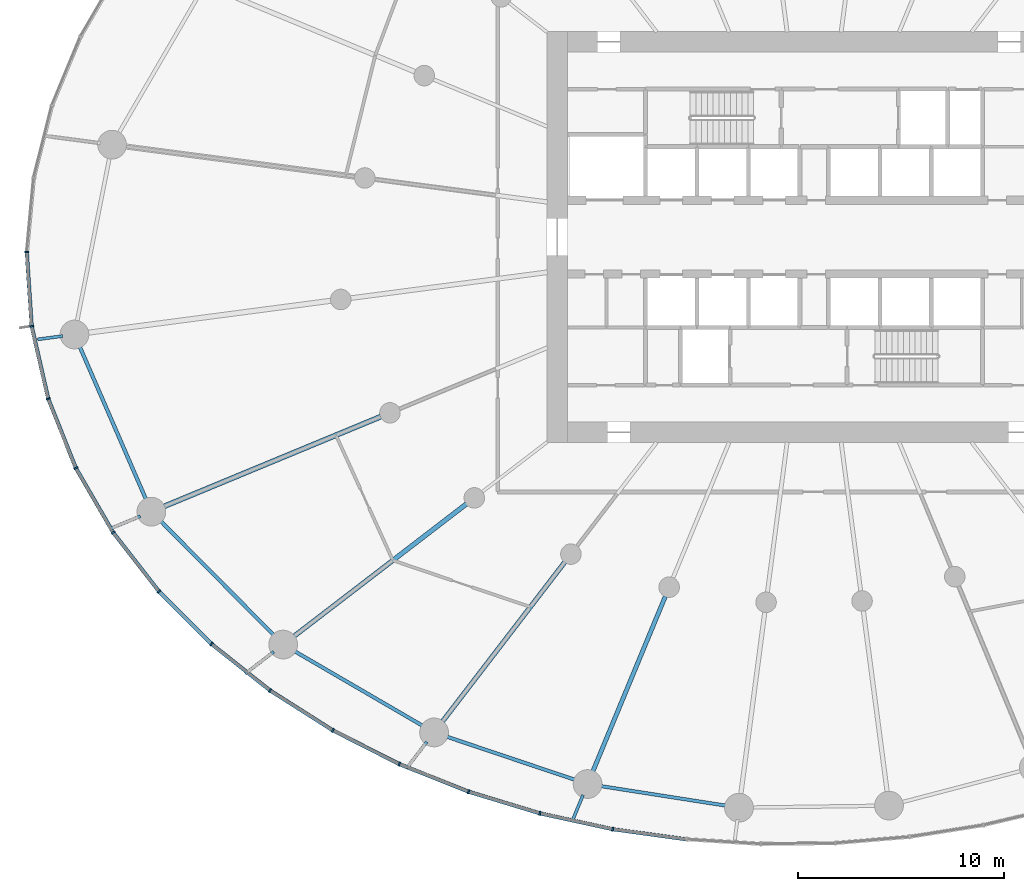
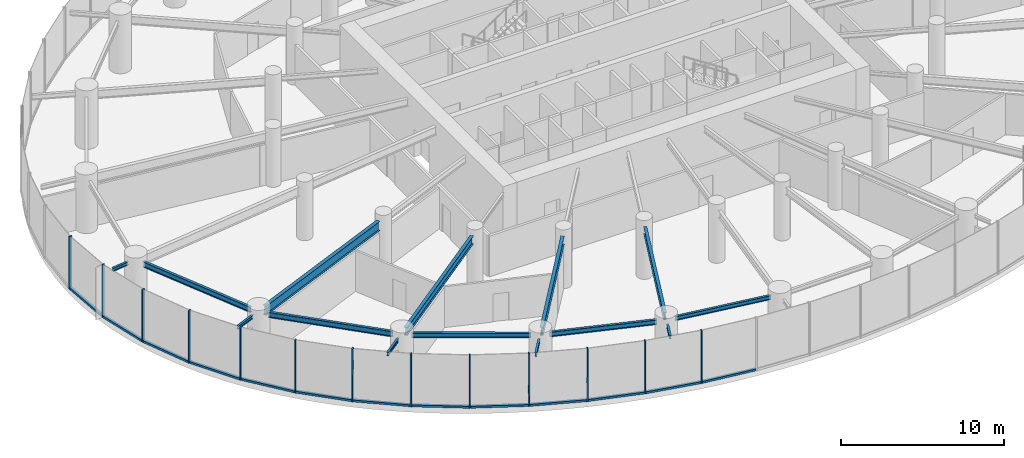
# One storey, part 2 of 19: 26 members, 14 beams, 3 elements without a shape of their own.
"""IFC4 building model written with IfcOpenShell, lengths in metres."""

from ifc_helpers import new_model, si_unit, direction, frame, origin, origin_2d, place, context, subcontext, project, spatial, rectangle, i_section, extrude, source, transform, mapped, material, layer, layer_set, material_profile, profile_set, type_object, element, aggregate, save


model = new_model("IFC4")

# Units and contexts
model_context = context("Model", 3, precision=1e-05, world=origin(), true_north=direction((0.0, 1.0)))
body_context = subcontext(model_context, "Body", "Model", "MODEL_VIEW")
ifc_project = project(units=[si_unit("LENGTHUNIT", "METRE"), si_unit("AREAUNIT", "SQUARE_METRE"), si_unit("VOLUMEUNIT", "CUBIC_METRE"), si_unit("PLANEANGLEUNIT", "RADIAN"), si_unit("MASSUNIT", "GRAM", prefix="KILO")], contexts=[model_context])

# Site, building, storey
site_placement = place(None, origin())
site = spatial("IfcSite", under=ifc_project, at=site_placement, CompositionType="ELEMENT")
building_placement = place(site_placement, origin())
building = spatial("IfcBuilding", under=site, at=building_placement, Name="Spindrift Exchange Tower", CompositionType="ELEMENT")
storey_placement = place(building_placement, frame((0.0, 0.0, 31.39990234375)))
storey = spatial("IfcBuildingStorey", under=building, at=storey_placement, Name="L07", CompositionType="ELEMENT", Elevation=31.39990234375)

# Beams
ifc_material_1 = material(Name="Steel Grade 300", Category="steel")
ifc_material_profile_1 = material_profile(ifc_material_1, i_section(OverallWidth=0.25, OverallDepth=0.699951171875, WebThickness=0.008056640625, FlangeThickness=0.011962890625, at=origin_2d()), Name="700WB115")
ifc_profile_set_1 = profile_set([ifc_material_profile_1], Name="Steel Grade 300")
beam_type_1 = type_object("IfcBeamType", Name="Floor Beam 700WB115 Steel Grade 300", PredefinedType="BEAM", material=ifc_profile_set_1)
shared_shape_1 = source(origin(), body_context, "Body", "SweptSolid", [
    extrude(i_section(OverallWidth=0.25, OverallDepth=0.699951171875, WebThickness=0.008056640625, FlangeThickness=0.011962890625, at=origin_2d()), origin(), (0.0, 0.0, 1.0), 11.505859375),
])
beam_1_placement = place(storey_placement, frame((30.917236328125, 39.26708984375, 3.60009765625), z_axis=(-0.923881578419, -0.38267849307, 0.0), x_axis=(0.38267849307, -0.923881578419, 0.0)))
element("IfcBeam", 1, at=beam_1_placement, inside=storey, type_object=beam_type_1, Name="L07 radial beam R14B", PredefinedType="BEAM", context=body_context, shape_type="MappedRepresentation", body=[
    mapped(shared_shape_1, transform((0.0, 0.0, 0.0), scale=1.0)),
])
ifc_material_profile_2 = material_profile(ifc_material_1, i_section(OverallWidth=0.22802734375, OverallDepth=0.60693359375, WebThickness=0.01123046875, FlangeThickness=0.017333984375, FilletRadius=0.013916015625, at=origin_2d()), Name="610UB113")
ifc_profile_set_2 = profile_set([ifc_material_profile_2], Name="Steel Grade 300")
beam_type_2 = type_object("IfcBeamType", Name="Floor Beam 610UB113 Steel Grade 300", PredefinedType="BEAM", material=ifc_profile_set_2)
shared_shape_2 = source(origin(), body_context, "Body", "SweptSolid", [
    extrude(i_section(OverallWidth=0.22802734375, OverallDepth=0.60693359375, WebThickness=0.01123046875, FlangeThickness=0.017333984375, FilletRadius=0.013916015625, at=origin_2d()), origin(), (0.0, 0.0, 1.0), 10.66357421875),
])
beam_2_placement = place(storey_placement, frame((35.08447265625, 35.020263671875, 3.646484375), z_axis=(-0.793357926757, -0.608755451764, 0.0), x_axis=(0.608755451764, -0.793357926757, 0.0)))
element("IfcBeam", 2, at=beam_2_placement, inside=storey, type_object=beam_type_2, Name="L07 radial beam R15B", PredefinedType="BEAM", context=body_context, shape_type="MappedRepresentation", body=[
    mapped(shared_shape_2, transform((0.0, 0.0, 0.0), scale=1.0)),
])
shared_shape_3 = source(origin(), body_context, "Body", "SweptSolid", [
    extrude(i_section(OverallWidth=0.22802734375, OverallDepth=0.60693359375, WebThickness=0.01123046875, FlangeThickness=0.017333984375, FilletRadius=0.013916015625, at=origin_2d()), origin(), (0.0, 0.0, 1.0), 9.87548828125),
])
beam_3_placement = place(storey_placement, frame((39.872802734375, 32.1953125, 3.646484375), z_axis=(-0.608772470836, -0.793344867477, 0.0), x_axis=(0.793344867477, -0.608772470836, 0.0)))
element("IfcBeam", 3, at=beam_3_placement, inside=storey, type_object=beam_type_2, Name="L07 radial beam R16B", PredefinedType="BEAM", context=body_context, shape_type="MappedRepresentation", body=[
    mapped(shared_shape_3, transform((0.0, 0.0, 0.0), scale=1.0)),
])
ifc_material_profile_3 = material_profile(ifc_material_1, i_section(OverallWidth=0.208984375, OverallDepth=0.532958984375, WebThickness=0.01025390625, FlangeThickness=0.015625, FilletRadius=0.013916015625, at=origin_2d()), Name="530UB92.4")
ifc_profile_set_3 = profile_set([ifc_material_profile_3], Name="Steel Grade 300")
beam_type_3 = type_object("IfcBeamType", Name="Floor Beam 530UB92.4 Steel Grade 300", PredefinedType="BEAM", material=ifc_profile_set_3)
shared_shape_4 = source(origin(), body_context, "Body", "SweptSolid", [
    extrude(i_section(OverallWidth=0.208984375, OverallDepth=0.532958984375, WebThickness=0.01025390625, FlangeThickness=0.015625, FilletRadius=0.013916015625, at=origin_2d()), origin(), (0.0, 0.0, 1.0), 9.309326171875),
])
beam_4_placement = place(storey_placement, frame((44.76171875, 30.525146484375, 3.68359375), z_axis=(-0.382685326691, -0.923878747853, 0.0), x_axis=(0.923878747853, -0.382685326691, 0.0)))
element("IfcBeam", 4, at=beam_4_placement, inside=storey, type_object=beam_type_3, Name="L07 radial beam R17B", PredefinedType="BEAM", context=body_context, shape_type="MappedRepresentation", body=[
    mapped(shared_shape_4, transform((0.0, 0.0, 0.0), scale=1.0)),
])
ifc_material_profile_4 = material_profile(ifc_material_1, i_section(OverallWidth=0.177978515625, OverallDepth=0.406005859375, WebThickness=0.0078125, FlangeThickness=0.0126953125, FilletRadius=0.013916015625, at=origin_2d()), Name="410UB59.7")
ifc_profile_set_4 = profile_set([ifc_material_profile_4], Name="Steel Grade 300")
beam_type_4 = type_object("IfcBeamType", Name="Edge Beam 410UB59.7 Steel Grade 300", PredefinedType="SPANDREL", material=ifc_profile_set_4)
shared_shape_5 = source(origin(), body_context, "Body", "SweptSolid", [
    extrude(i_section(OverallWidth=0.177978515625, OverallDepth=0.406005859375, WebThickness=0.0078125, FlangeThickness=0.0126953125, FilletRadius=0.013916015625, at=origin_2d()), origin(), (0.0, 0.0, 1.0), 8.23681640625),
])
beam_5_placement = place(storey_placement, frame((16.240478515625, 42.729736328125, 3.7470703125), z_axis=(0.398186298756, -0.91730456855, 0.0), x_axis=(0.91730456855, 0.398186298756, 0.0)))
element("IfcBeam", 5, at=beam_5_placement, inside=storey, type_object=beam_type_4, Name="L07 edge beam E13", PredefinedType="SPANDREL", context=body_context, shape_type="MappedRepresentation", body=[
    mapped(shared_shape_5, transform((0.0, 0.0, 0.0), scale=1.0)),
])
shared_shape_6 = source(origin(), body_context, "Body", "SweptSolid", [
    extrude(i_section(OverallWidth=0.177978515625, OverallDepth=0.406005859375, WebThickness=0.0078125, FlangeThickness=0.0126953125, FilletRadius=0.013916015625, at=origin_2d()), origin(), (0.0, 0.0, 1.0), 7.947509765625),
])
beam_6_placement = place(storey_placement, frame((20.159423828125, 34.230224609375, 3.7470703125), z_axis=(0.704197895271, -0.710003749494, 0.0), x_axis=(0.710003749494, 0.704197895271, 0.0)))
element("IfcBeam", 6, at=beam_6_placement, inside=storey, type_object=beam_type_4, Name="L07 edge beam E14", PredefinedType="SPANDREL", context=body_context, shape_type="MappedRepresentation", body=[
    mapped(shared_shape_6, transform((0.0, 0.0, 0.0), scale=1.0)),
])
ifc_material_profile_5 = material_profile(ifc_material_1, i_section(OverallWidth=0.172119140625, OverallDepth=0.35888671875, WebThickness=0.008056640625, FlangeThickness=0.012939453125, FilletRadius=0.013916015625, at=origin_2d()), Name="360UB56.7")
ifc_profile_set_5 = profile_set([ifc_material_profile_5], Name="Steel Grade 300")
beam_type_5 = type_object("IfcBeamType", Name="Edge Beam 360UB56.7 Steel Grade 300", PredefinedType="SPANDREL", material=ifc_profile_set_5)
shared_shape_7 = source(origin(), body_context, "Body", "SweptSolid", [
    extrude(i_section(OverallWidth=0.172119140625, OverallDepth=0.35888671875, WebThickness=0.008056640625, FlangeThickness=0.012939453125, FilletRadius=0.013916015625, at=origin_2d()), origin(), (0.0, 0.0, 1.0), 7.33740234375),
])
beam_7_placement = place(storey_placement, frame((26.66552734375, 27.8837890625, 3.7705078125), z_axis=(0.864211826308, -0.503128134047, 0.0), x_axis=(0.503128134047, 0.864211826308, 0.0)))
element("IfcBeam", 7, at=beam_7_placement, inside=storey, type_object=beam_type_5, Name="L07 edge beam E15", PredefinedType="SPANDREL", context=body_context, shape_type="MappedRepresentation", body=[
    mapped(shared_shape_7, transform((0.0, 0.0, 0.0), scale=1.0)),
])
shared_shape_8 = source(origin(), body_context, "Body", "SweptSolid", [
    extrude(i_section(OverallWidth=0.172119140625, OverallDepth=0.35888671875, WebThickness=0.008056640625, FlangeThickness=0.012939453125, FilletRadius=0.013916015625, at=origin_2d()), origin(), (0.0, 0.0, 1.0), 6.72021484375),
])
beam_8_placement = place(storey_placement, frame((34.0576171875, 23.71533203125, 3.7705078125), z_axis=(0.947851749681, -0.318711563372, 0.0), x_axis=(0.318711563372, 0.947851749681, 0.0)))
element("IfcBeam", 8, at=beam_8_placement, inside=storey, type_object=beam_type_5, Name="L07 edge beam E16", PredefinedType="SPANDREL", context=body_context, shape_type="MappedRepresentation", body=[
    mapped(shared_shape_8, transform((0.0, 0.0, 0.0), scale=1.0)),
])
ifc_material_profile_6 = material_profile(ifc_material_1, i_section(OverallWidth=0.1650390625, OverallDepth=0.303955078125, WebThickness=0.006103515625, FlangeThickness=0.01025390625, FilletRadius=0.011474609375, at=origin_2d()), Name="310UB40.4")
ifc_profile_set_6 = profile_set([ifc_material_profile_6], Name="Steel Grade 300")
beam_type_6 = type_object("IfcBeamType", Name="Edge Beam 310UB40.4 Steel Grade 300", PredefinedType="SPANDREL", material=ifc_profile_set_6)
shared_shape_9 = source(origin(), body_context, "Body", "SweptSolid", [
    extrude(i_section(OverallWidth=0.1650390625, OverallDepth=0.303955078125, WebThickness=0.006103515625, FlangeThickness=0.01025390625, FilletRadius=0.011474609375, at=origin_2d()), origin(), (0.0, 0.0, 1.0), 6.297119140625),
])
beam_9_placement = place(storey_placement, frame((41.55029296875, 21.29931640625, 3.798095703125), z_axis=(0.98802902915, -0.154268070436, 0.0), x_axis=(0.154268070436, 0.98802902915, 0.0)))
element("IfcBeam", 9, at=beam_9_placement, inside=storey, type_object=beam_type_6, Name="L07 edge beam E17", PredefinedType="SPANDREL", context=body_context, shape_type="MappedRepresentation", body=[
    mapped(shared_shape_9, transform((0.0, 0.0, 0.0), scale=1.0)),
])
ifc_material_profile_7 = material_profile(ifc_material_1, i_section(OverallWidth=0.14599609375, OverallDepth=0.251953125, WebThickness=0.006103515625, FlangeThickness=0.008544921875, FilletRadius=0.011962890625, at=origin_2d()), Name="250UB31.4")
ifc_profile_set_7 = profile_set([ifc_material_profile_7], Name="Steel Grade 300")
beam_type_7 = type_object("IfcBeamType", Name="Cantilever Beam 250UB31.4 Steel Grade 300", PredefinedType="BEAM", material=ifc_profile_set_7)
shared_shape_10 = source(origin(), body_context, "Body", "SweptSolid", [
    extrude(i_section(OverallWidth=0.14599609375, OverallDepth=0.251953125, WebThickness=0.006103515625, FlangeThickness=0.008544921875, FilletRadius=0.011962890625, at=origin_2d()), origin(), (0.0, 0.0, 1.0), 1.224853515625),
])
beam_10_placement = place(storey_placement, frame((15.4345703125, 43.18603515625, 3.82421875), z_axis=(-0.99144072145, -0.130557634208, 0.0), x_axis=(0.130557634208, -0.99144072145, 0.0)))
element("IfcBeam", 10, at=beam_10_placement, inside=storey, type_object=beam_type_7, Name="L07 cantilever beam R13T", PredefinedType="BEAM", context=body_context, shape_type="MappedRepresentation", body=[
    mapped(shared_shape_10, transform((0.0, 0.0, 0.0), scale=1.0)),
])
shared_shape_11 = source(origin(), body_context, "Body", "SweptSolid", [
    extrude(i_section(OverallWidth=0.14599609375, OverallDepth=0.251953125, WebThickness=0.006103515625, FlangeThickness=0.008544921875, FilletRadius=0.011962890625, at=origin_2d()), origin(), (0.0, 0.0, 1.0), 1.569580078125),
])
beam_11_placement = place(storey_placement, frame((19.21533203125, 34.420166015625, 3.82421875), z_axis=(-0.923903097912, -0.382626535499, 0.0), x_axis=(0.382626535499, -0.923903097912, 0.0)))
element("IfcBeam", 11, at=beam_11_placement, inside=storey, type_object=beam_type_7, Name="L07 cantilever beam R14T", PredefinedType="BEAM", context=body_context, shape_type="MappedRepresentation", body=[
    mapped(shared_shape_11, transform((0.0, 0.0, 0.0), scale=1.0)),
])
shared_shape_12 = source(origin(), body_context, "Body", "SweptSolid", [
    extrude(i_section(OverallWidth=0.14599609375, OverallDepth=0.251953125, WebThickness=0.006103515625, FlangeThickness=0.008544921875, FilletRadius=0.011962890625, at=origin_2d()), origin(), (0.0, 0.0, 1.0), 1.750244140625),
])
beam_12_placement = place(storey_placement, frame((25.704345703125, 27.822509765625, 3.82421875), z_axis=(-0.793390788114, -0.608712622948, 0.0), x_axis=(0.608712622948, -0.793390788114, 0.0)))
element("IfcBeam", 12, at=beam_12_placement, inside=storey, type_object=beam_type_7, Name="L07 cantilever beam R15T", PredefinedType="BEAM", context=body_context, shape_type="MappedRepresentation", body=[
    mapped(shared_shape_12, transform((0.0, 0.0, 0.0), scale=1.0)),
])
shared_shape_13 = source(origin(), body_context, "Body", "SweptSolid", [
    extrude(i_section(OverallWidth=0.14599609375, OverallDepth=0.251953125, WebThickness=0.006103515625, FlangeThickness=0.008544921875, FilletRadius=0.011962890625, at=origin_2d()), origin(), (0.0, 0.0, 1.0), 1.61181640625),
])
beam_13_placement = place(storey_placement, frame((33.154541015625, 23.440185546875, 3.82421875), z_axis=(-0.608736759969, -0.793372268902, 0.0), x_axis=(0.793372268902, -0.608736759969, 0.0)))
element("IfcBeam", 13, at=beam_13_placement, inside=storey, type_object=beam_type_7, Name="L07 cantilever beam R16T", PredefinedType="BEAM", context=body_context, shape_type="MappedRepresentation", body=[
    mapped(shared_shape_13, transform((0.0, 0.0, 0.0), scale=1.0)),
])
shared_shape_14 = source(origin(), body_context, "Body", "SweptSolid", [
    extrude(i_section(OverallWidth=0.14599609375, OverallDepth=0.251953125, WebThickness=0.006103515625, FlangeThickness=0.008544921875, FilletRadius=0.011962890625, at=origin_2d()), origin(), (0.0, 0.0, 1.0), 1.326416015625),
])
beam_14_placement = place(storey_placement, frame((40.755126953125, 20.852783203125, 3.82421875), z_axis=(-0.382628122364, -0.923902440724, 0.0), x_axis=(0.923902440724, -0.382628122364, 0.0)))
element("IfcBeam", 14, at=beam_14_placement, inside=storey, type_object=beam_type_7, Name="L07 cantilever beam R17T", PredefinedType="BEAM", context=body_context, shape_type="MappedRepresentation", body=[
    mapped(shared_shape_14, transform((0.0, 0.0, 0.0), scale=1.0)),
])

# Curtain wall, members
ifc_material_2 = material(Name="Fritted laminated glass with bronze frame", Category="glass")
ifc_layer = layer(ifc_material_2, 0.199951171875)
ifc_layer_set = layer_set([ifc_layer], Name="ZONE 1 BRONZE FRITTED WALL")
curtain_wall_type = type_object("IfcCurtainWallType", Name="ZONE 1 BRONZE FRITTED WALL", PredefinedType="NOTDEFINED", material=ifc_layer_set)
curtain_wall_1_placement = place(storey_placement, origin())
curtain_wall_1 = element("IfcCurtainWall", 15, at=curtain_wall_1_placement, inside=storey, type_object=curtain_wall_type, Name="L07 Zone 1 Bronze Fritted Wall run 6", PredefinedType="NOTDEFINED")
ifc_material_3 = material(Name="Bronze anodised aluminium", Category="aluminium")
ifc_material_profile_8 = material_profile(ifc_material_3, rectangle(XDim=0.179931640625, YDim=0.14990234375, at=origin_2d()), Name="ZONE 1 BRONZE FRITTED WALL TRANSOM 180X150")
ifc_profile_set_8 = profile_set([ifc_material_profile_8], Name="Bronze anodised aluminium")
member_type_1 = type_object("IfcMemberType", Name="ZONE 1 BRONZE FRITTED WALL TRANSOM 180X150", PredefinedType="USERDEFINED", material=ifc_profile_set_8)
shared_shape_15 = source(origin(), body_context, "Body", "SweptSolid", [
    extrude(rectangle(XDim=0.179931640625, YDim=0.14990234375, at=origin_2d()), origin(), (0.0, 0.0, 1.0), 3.54443359375),
])
member_1_placement = place(storey_placement, frame((13.934326171875, 43.62646484375, 0.0751953125), z_axis=(0.223038013267, -0.974809747919, 0.0), x_axis=(0.974809747919, 0.223038013267, 0.0)))
member_1 = element("IfcMember", 16, at=member_1_placement, type_object=member_type_1, Name="L07 transom CW-1.31", ObjectType="TRANSOM", PredefinedType="USERDEFINED", context=body_context, shape_type="MappedRepresentation", body=[
    mapped(shared_shape_15, transform((0.0, 0.0, 0.0), scale=1.0)),
])
shared_shape_16 = source(origin(), body_context, "Body", "SweptSolid", [
    extrude(rectangle(XDim=0.179931640625, YDim=0.14990234375, at=origin_2d()), origin(), (0.0, 0.0, 1.0), 3.544921875),
])
member_2_placement = place(storey_placement, frame((14.74853515625, 40.09521484375, 0.0751953125), z_axis=(0.370107913358, -0.928988768753, 0.0), x_axis=(0.928988768753, 0.370107913358, 0.0)))
member_2 = element("IfcMember", 17, at=member_2_placement, type_object=member_type_1, Name="L07 transom CW-1.32", ObjectType="TRANSOM", PredefinedType="USERDEFINED", context=body_context, shape_type="MappedRepresentation", body=[
    mapped(shared_shape_16, transform((0.0, 0.0, 0.0), scale=1.0)),
])
shared_shape_17 = source(origin(), body_context, "Body", "SweptSolid", [
    extrude(rectangle(XDim=0.179931640625, YDim=0.14990234375, at=origin_2d()), origin(), (0.0, 0.0, 1.0), 3.545654296875),
])
member_3_placement = place(storey_placement, frame((17.9169921875, 33.596435546875, 0.0751953125), z_axis=(0.613649785249, -0.789578331177, 0.0), x_axis=(0.789578331177, 0.613649785249, 0.0)))
member_3 = element("IfcMember", 18, at=member_3_placement, type_object=member_type_1, Name="L07 transom CW-1.34", ObjectType="TRANSOM", PredefinedType="USERDEFINED", context=body_context, shape_type="MappedRepresentation", body=[
    mapped(shared_shape_17, transform((0.0, 0.0, 0.0), scale=1.0)),
])

curtain_wall_2_placement = place(storey_placement, origin())
curtain_wall_2 = element("IfcCurtainWall", 19, at=curtain_wall_2_placement, inside=storey, type_object=curtain_wall_type, Name="L07 Zone 1 Bronze Fritted Wall run 7", PredefinedType="NOTDEFINED")
shared_shape_18 = source(origin(), body_context, "Body", "SweptSolid", [
    extrude(rectangle(XDim=0.179931640625, YDim=0.14990234375, at=origin_2d()), origin(), (0.0, 0.0, 1.0), 3.546875),
])
member_4_placement = place(storey_placement, frame((28.6171875, 23.981689453125, 0.0751953125), z_axis=(0.891824022564, -0.452382485048, 0.0), x_axis=(0.452382485048, 0.891824022564, 0.0)))
member_4 = element("IfcMember", 20, at=member_4_placement, type_object=member_type_1, Name="L07 transom CW-1.38", ObjectType="TRANSOM", PredefinedType="USERDEFINED", context=body_context, shape_type="MappedRepresentation", body=[
    mapped(shared_shape_18, transform((0.0, 0.0, 0.0), scale=1.0)),
])
shared_shape_19 = source(origin(), body_context, "Body", "SweptSolid", [
    extrude(rectangle(XDim=0.179931640625, YDim=0.14990234375, at=origin_2d()), origin(), (0.0, 0.0, 1.0), 3.54736328125),
])
member_5_placement = place(storey_placement, frame((35.223388671875, 21.00439453125, 0.0751953125), z_axis=(0.956916096261, -0.290364572075, 0.0), x_axis=(0.290364572075, 0.956916096261, 0.0)))
member_5 = element("IfcMember", 21, at=member_5_placement, type_object=member_type_1, Name="L07 transom CW-1.40", ObjectType="TRANSOM", PredefinedType="USERDEFINED", context=body_context, shape_type="MappedRepresentation", body=[
    mapped(shared_shape_19, transform((0.0, 0.0, 0.0), scale=1.0)),
])
member_6_placement = place(storey_placement, frame((38.695068359375, 19.9541015625, 0.0751953125), z_axis=(0.977155239987, -0.212526791173, 0.0), x_axis=(0.212526791173, 0.977155239987, 0.0)))
member_6 = element("IfcMember", 22, at=member_6_placement, type_object=member_type_1, Name="L07 transom CW-1.41", ObjectType="TRANSOM", PredefinedType="USERDEFINED", context=body_context, shape_type="MappedRepresentation", body=[
    mapped(shared_shape_19, transform((0.0, 0.0, 0.0), scale=1.0)),
])
shared_shape_20 = source(origin(), body_context, "Body", "SweptSolid", [
    extrude(rectangle(XDim=0.179931640625, YDim=0.14990234375, at=origin_2d()), origin(), (0.0, 0.0, 1.0), 3.547119140625),
])
member_7_placement = place(storey_placement, frame((31.85302734375, 22.34423828125, 0.0751953125), z_axis=(0.928912755524, -0.370298653284, 0.0), x_axis=(0.370298653284, 0.928912755524, 0.0)))
member_7 = element("IfcMember", 23, at=member_7_placement, type_object=member_type_1, Name="L07 transom CW-1.39", ObjectType="TRANSOM", PredefinedType="USERDEFINED", context=body_context, shape_type="MappedRepresentation", body=[
    mapped(shared_shape_20, transform((0.0, 0.0, 0.0), scale=1.0)),
])
member_8_placement = place(storey_placement, frame((42.240234375, 19.186279296875, 0.0751953125), z_axis=(0.990632690625, -0.136553550907, 0.0), x_axis=(0.136553550907, 0.990632690625, 0.0)))
member_8 = element("IfcMember", 24, at=member_8_placement, type_object=member_type_1, Name="L07 transom CW-1.42", ObjectType="TRANSOM", PredefinedType="USERDEFINED", context=body_context, shape_type="MappedRepresentation", body=[
    mapped(shared_shape_20, transform((0.0, 0.0, 0.0), scale=1.0)),
])

# Member
shared_shape_21 = source(origin(), body_context, "Body", "SweptSolid", [
    extrude(rectangle(XDim=0.179931640625, YDim=0.14990234375, at=origin_2d()), origin(), (0.0, 0.0, 1.0), 3.545166015625),
])
member_9_placement = place(storey_placement, frame((16.095458984375, 36.730224609375, 0.0751953125), z_axis=(0.501269708159, -0.865291095345, 0.0), x_axis=(0.865291095345, 0.501269708159, 0.0)))
member_9 = element("IfcMember", 25, at=member_9_placement, type_object=member_type_1, Name="L07 transom CW-1.33", ObjectType="TRANSOM", PredefinedType="USERDEFINED", context=body_context, shape_type="MappedRepresentation", body=[
    mapped(shared_shape_21, transform((0.0, 0.0, 0.0), scale=1.0)),
])

shared_shape_22 = source(origin(), body_context, "Body", "SweptSolid", [
    extrude(rectangle(XDim=0.179931640625, YDim=0.14990234375, at=origin_2d()), origin(), (0.0, 0.0, 1.0), 3.546630859375),
])
member_10_placement = place(storey_placement, frame((22.71240234375, 28.17626953125, 0.0751953125), z_axis=(0.783046751601, -0.621962848414, 0.0), x_axis=(0.621962848414, 0.783046751601, 0.0)))
member_10 = element("IfcMember", 26, at=member_10_placement, type_object=member_type_1, Name="L07 transom CW-1.36", ObjectType="TRANSOM", PredefinedType="USERDEFINED", context=body_context, shape_type="MappedRepresentation", body=[
    mapped(shared_shape_22, transform((0.0, 0.0, 0.0), scale=1.0)),
])

member_11_placement = place(storey_placement, frame((25.5546875, 25.92431640625, 0.0751953125), z_axis=(0.843854172715, -0.536572581476, 0.0), x_axis=(0.536572581476, 0.843854172715, 0.0)))
member_11 = element("IfcMember", 27, at=member_11_placement, type_object=member_type_1, Name="L07 transom CW-1.37", ObjectType="TRANSOM", PredefinedType="USERDEFINED", context=body_context, shape_type="MappedRepresentation", body=[
    mapped(shared_shape_22, transform((0.0, 0.0, 0.0), scale=1.0)),
])

shared_shape_23 = source(origin(), body_context, "Body", "SweptSolid", [
    extrude(rectangle(XDim=0.179931640625, YDim=0.14990234375, at=origin_2d()), origin(), (0.0, 0.0, 1.0), 3.5458984375),
])
member_12_placement = place(storey_placement, frame((20.1455078125, 30.73681640625, 0.0751953125), z_axis=(0.707106781187, -0.707106781187, 0.0), x_axis=(0.707106781187, 0.707106781187, 0.0)))
member_12 = element("IfcMember", 28, at=member_12_placement, type_object=member_type_1, Name="L07 transom CW-1.35", ObjectType="TRANSOM", PredefinedType="USERDEFINED", context=body_context, shape_type="MappedRepresentation", body=[
    mapped(shared_shape_23, transform((0.0, 0.0, 0.0), scale=1.0)),
])

# Curtain wall, members
curtain_wall_3_placement = place(storey_placement, origin())
curtain_wall_3 = element("IfcCurtainWall", 29, at=curtain_wall_3_placement, inside=storey, type_object=curtain_wall_type, Name="L07 Zone 1 Bronze Fritted Wall run 5", PredefinedType="NOTDEFINED")
shared_shape_24 = source(origin(), body_context, "Body", "SweptSolid", [
    extrude(rectangle(XDim=0.179931640625, YDim=0.14990234375, at=origin_2d()), origin(), (0.0, 0.0, 1.0), 3.544677734375),
])
member_13_placement = place(storey_placement, frame((13.68896484375, 47.2421875, 0.0751953125), z_axis=(0.065984137766, -0.997820672046, 0.0), x_axis=(0.997820672046, 0.065984137766, 0.0)))
member_13 = element("IfcMember", 30, at=member_13_placement, type_object=member_type_1, Name="L07 transom CW-1.30", ObjectType="TRANSOM", PredefinedType="USERDEFINED", context=body_context, shape_type="MappedRepresentation", body=[
    mapped(shared_shape_24, transform((0.0, 0.0, 0.0), scale=1.0)),
])
ifc_material_profile_9 = material_profile(ifc_material_3, rectangle(XDim=0.080078125, YDim=0.199951171875, at=origin_2d()), Name="ZONE 1 BRONZE FRITTED WALL MULLION 80X200")
ifc_profile_set_9 = profile_set([ifc_material_profile_9], Name="Bronze anodised aluminium")
member_type_2 = type_object("IfcMemberType", Name="ZONE 1 BRONZE FRITTED WALL MULLION 80X200", PredefinedType="MULLION", material=ifc_profile_set_9)
shared_shape_25 = source(origin(), body_context, "Body", "SweptSolid", [
    extrude(rectangle(XDim=0.080078125, YDim=0.199951171875, at=origin_2d()), origin(), (0.0, 0.0, 1.0), 3.9501953125),
])
member_14_placement = place(storey_placement, frame((13.686279296875, 47.281982421875, 0.0), z_axis=(0.0, 0.0, 1.0), x_axis=(-0.013382363163, -0.999910452169, 0.0)))
member_14 = element("IfcMember", 31, at=member_14_placement, type_object=member_type_2, Name="L07 mullion CW-1.30", PredefinedType="MULLION", context=body_context, shape_type="MappedRepresentation", body=[
    mapped(shared_shape_25, transform((0.0, 0.0, 0.0), scale=1.0)),
])
aggregate(curtain_wall_3, [member_14, member_13])

# Member
member_15_placement = place(storey_placement, frame((13.925537109375, 43.66552734375, 0.0), z_axis=(0.0, 0.0, 1.0), x_axis=(0.144961250409, -0.989437332973, 0.0)))
member_15 = element("IfcMember", 32, at=member_15_placement, type_object=member_type_2, Name="L07 mullion CW-1.31", PredefinedType="MULLION", context=body_context, shape_type="MappedRepresentation", body=[
    mapped(shared_shape_25, transform((0.0, 0.0, 0.0), scale=1.0)),
])

member_16_placement = place(storey_placement, frame((14.73388671875, 40.13232421875, 0.0), z_axis=(0.0, 0.0, 1.0), x_axis=(0.297447453132, -0.954738190618, 0.0)))
member_16 = element("IfcMember", 33, at=member_16_placement, type_object=member_type_2, Name="L07 mullion CW-1.32", PredefinedType="MULLION", context=body_context, shape_type="MappedRepresentation", body=[
    mapped(shared_shape_25, transform((0.0, 0.0, 0.0), scale=1.0)),
])

member_17_placement = place(storey_placement, frame((16.075439453125, 36.764892578125, 0.0), z_axis=(0.0, 0.0, 1.0), x_axis=(0.436841092415, -0.899538692874, 0.0)))
member_17 = element("IfcMember", 34, at=member_17_placement, type_object=member_type_2, Name="L07 mullion CW-1.33", PredefinedType="MULLION", context=body_context, shape_type="MappedRepresentation", body=[
    mapped(shared_shape_25, transform((0.0, 0.0, 0.0), scale=1.0)),
])

member_18_placement = place(storey_placement, frame((17.892578125, 33.6279296875, 0.0), z_axis=(0.0, 0.0, 1.0), x_axis=(0.558719039307, -0.829357001005, 0.0)))
member_18 = element("IfcMember", 35, at=member_18_placement, type_object=member_type_2, Name="L07 mullion CW-1.34", PredefinedType="MULLION", context=body_context, shape_type="MappedRepresentation", body=[
    mapped(shared_shape_25, transform((0.0, 0.0, 0.0), scale=1.0)),
])

member_19_placement = place(storey_placement, frame((20.1171875, 30.76513671875, 0.0), z_axis=(0.0, 0.0, 1.0), x_axis=(0.661639221427, -0.749822339404, 0.0)))
member_19 = element("IfcMember", 36, at=member_19_placement, type_object=member_type_2, Name="L07 mullion CW-1.35", PredefinedType="MULLION", context=body_context, shape_type="MappedRepresentation", body=[
    mapped(shared_shape_25, transform((0.0, 0.0, 0.0), scale=1.0)),
])

member_20_placement = place(storey_placement, frame((22.68115234375, 28.201171875, 0.0), z_axis=(0.0, 0.0, 1.0), x_axis=(0.746288595306, -0.665622515031, 0.0)))
member_20 = element("IfcMember", 37, at=member_20_placement, type_object=member_type_2, Name="L07 mullion CW-1.36", PredefinedType="MULLION", context=body_context, shape_type="MappedRepresentation", body=[
    mapped(shared_shape_25, transform((0.0, 0.0, 0.0), scale=1.0)),
])

aggregate(curtain_wall_1, [member_15, member_1, member_16, member_2, member_17, member_9, member_18, member_3, member_19, member_12, member_20, member_10])

member_21_placement = place(storey_placement, frame((25.52099609375, 25.94580078125, 0.0), z_axis=(0.0, 0.0, 1.0), x_axis=(0.814588448043, -0.580039361005, 0.0)))
member_21 = element("IfcMember", 38, at=member_21_placement, type_object=member_type_2, Name="L07 mullion CW-1.37", PredefinedType="MULLION", context=body_context, shape_type="MappedRepresentation", body=[
    mapped(shared_shape_25, transform((0.0, 0.0, 0.0), scale=1.0)),
])

member_22_placement = place(storey_placement, frame((28.581298828125, 23.999755859375, 0.0), z_axis=(0.0, 0.0, 1.0), x_axis=(0.868862890685, -0.495052802426, 0.0)))
member_22 = element("IfcMember", 39, at=member_22_placement, type_object=member_type_2, Name="L07 mullion CW-1.38", PredefinedType="MULLION", context=body_context, shape_type="MappedRepresentation", body=[
    mapped(shared_shape_25, transform((0.0, 0.0, 0.0), scale=1.0)),
])

member_23_placement = place(storey_placement, frame((31.81591796875, 22.35888671875, 0.0), z_axis=(0.0, 0.0, 1.0), x_axis=(0.91128816718, -0.411769202779, 0.0)))
member_23 = element("IfcMember", 40, at=member_23_placement, type_object=member_type_2, Name="L07 mullion CW-1.39", PredefinedType="MULLION", context=body_context, shape_type="MappedRepresentation", body=[
    mapped(shared_shape_25, transform((0.0, 0.0, 0.0), scale=1.0)),
])

member_24_placement = place(storey_placement, frame((35.18505859375, 21.015869140625, 0.0), z_axis=(0.0, 0.0, 1.0), x_axis=(0.943761942704, -0.33062576352, 0.0)))
member_24 = element("IfcMember", 41, at=member_24_placement, type_object=member_type_2, Name="L07 mullion CW-1.40", PredefinedType="MULLION", context=body_context, shape_type="MappedRepresentation", body=[
    mapped(shared_shape_25, transform((0.0, 0.0, 0.0), scale=1.0)),
])

member_25_placement = place(storey_placement, frame((38.656005859375, 19.962646484375, 0.0), z_axis=(0.0, 0.0, 1.0), x_axis=(0.967819283868, -0.251646247288, 0.0)))
member_25 = element("IfcMember", 42, at=member_25_placement, type_object=member_type_2, Name="L07 mullion CW-1.41", PredefinedType="MULLION", context=body_context, shape_type="MappedRepresentation", body=[
    mapped(shared_shape_25, transform((0.0, 0.0, 0.0), scale=1.0)),
])

member_26_placement = place(storey_placement, frame((42.200439453125, 19.19189453125, 0.0), z_axis=(0.0, 0.0, 1.0), x_axis=(0.984627198829, -0.174669056577, 0.0)))
member_26 = element("IfcMember", 43, at=member_26_placement, type_object=member_type_2, Name="L07 mullion CW-1.42", PredefinedType="MULLION", context=body_context, shape_type="MappedRepresentation", body=[
    mapped(shared_shape_25, transform((0.0, 0.0, 0.0), scale=1.0)),
])

aggregate(curtain_wall_2, [member_21, member_11, member_22, member_4, member_23, member_7, member_24, member_5, member_25, member_6, member_26, member_8])

save(model, "model.ifc")
